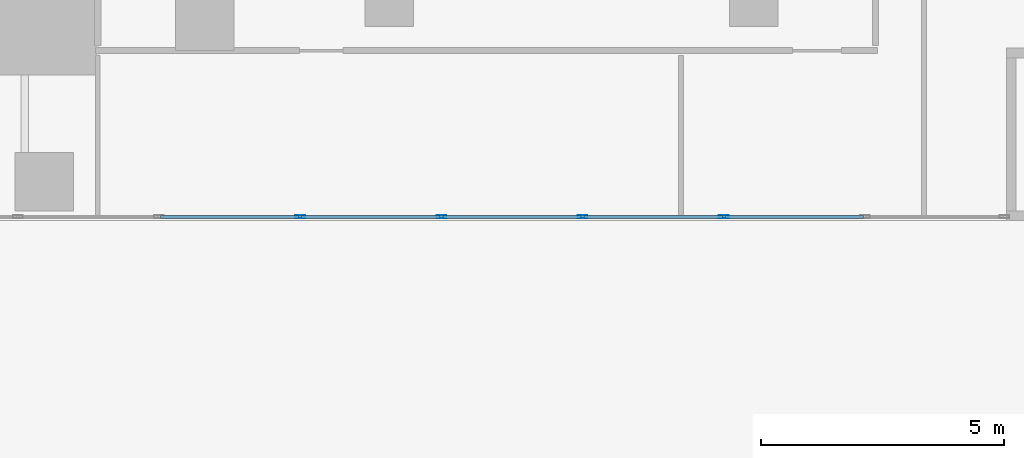
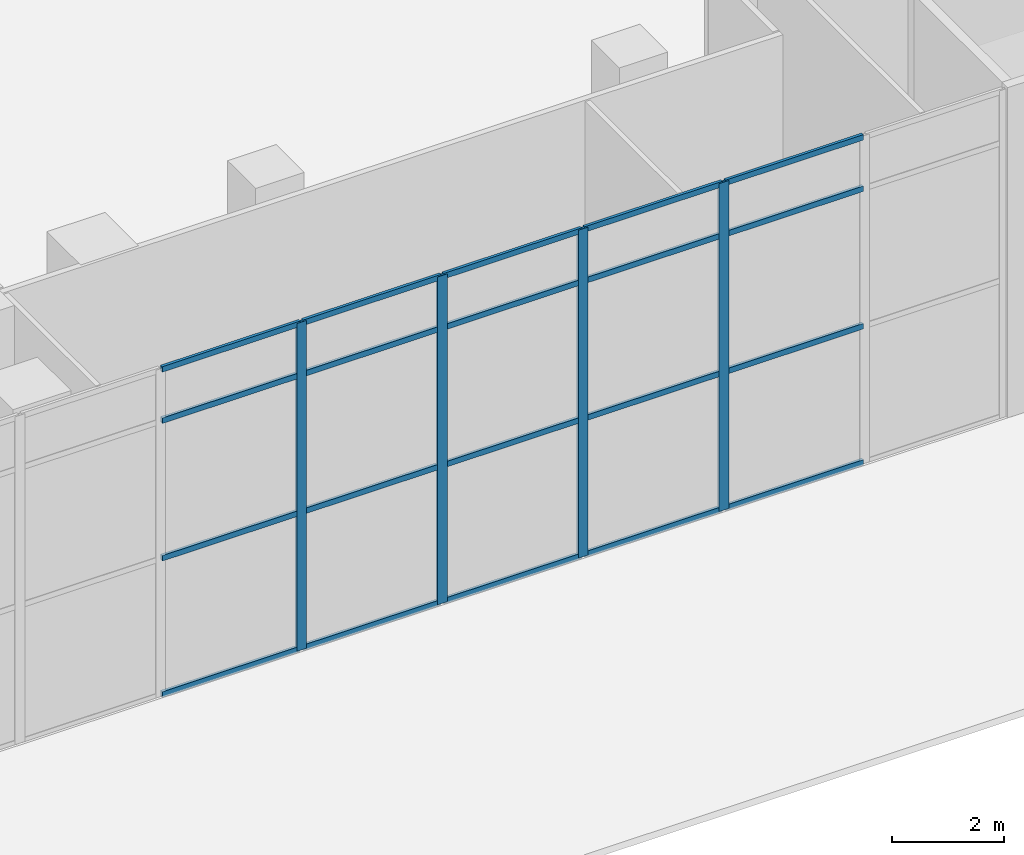
# One storey, part 20 of 52: 24 members, 1 element without a shape of its own.
"""IFC4 building model written with IfcOpenShell, lengths in metres."""

from ifc_helpers import new_model, si_unit, direction, frame, origin, origin_2d, place, context, subcontext, project, spatial, hollow_rectangle, extrude, source, transform, mapped, material, material_profile, profile_set, type_object, element, aggregate, save


model = new_model("IFC4")

# Units and contexts
model_context = context("Model", 3, precision=1e-05, world=origin(), true_north=direction((0.0, 1.0)))
body_context = subcontext(model_context, "Body", "Model", "MODEL_VIEW")
ifc_project = project(units=[si_unit("LENGTHUNIT", "METRE"), si_unit("AREAUNIT", "SQUARE_METRE"), si_unit("VOLUMEUNIT", "CUBIC_METRE"), si_unit("PLANEANGLEUNIT", "RADIAN"), si_unit("MASSUNIT", "GRAM", prefix="KILO")], contexts=[model_context])

# Site, building, storey
site_placement = place(None, origin())
site = spatial("IfcSite", under=ifc_project, at=site_placement, CompositionType="ELEMENT")
building_placement = place(site_placement, origin())
building = spatial("IfcBuilding", under=site, at=building_placement, Name="Khomas Fold Tower", CompositionType="ELEMENT")
storey_placement = place(building_placement, origin())
storey = spatial("IfcBuildingStorey", under=building, at=storey_placement, Name="L00", CompositionType="ELEMENT", Elevation=0.0)

# Curtain wall, members
ifc_material_1 = material(Name="Aluminium framed double glazing", Category="aluminium")
curtain_wall_type = type_object("IfcCurtainWallType", Name="Shopfront glazing PD-CW", PredefinedType="NOTDEFINED", material=ifc_material_1)
curtain_wall_placement = place(storey_placement, origin())
curtain_wall = element("IfcCurtainWall", 1, at=curtain_wall_placement, inside=storey, type_object=curtain_wall_type, Name="Podium shopfront run", PredefinedType="NOTDEFINED")
ifc_material_2 = material(Name="Aluminium", Category="aluminium")
ifc_material_profile_1 = material_profile(ifc_material_2, hollow_rectangle(XDim=0.06005859375, YDim=0.199951171875, WallThickness=0.00390625, at=origin_2d()), Name="Shopfront glazing mullion PD-CW-M")
ifc_profile_set_1 = profile_set([ifc_material_profile_1], Name="Aluminium")
member_type_1 = type_object("IfcMemberType", Name="Shopfront glazing mullion PD-CW-M", PredefinedType="MULLION", material=ifc_profile_set_1)
shared_shape_1 = source(origin(), body_context, "Body", "SweptSolid", [
    extrude(hollow_rectangle(XDim=0.06005859375, YDim=0.199951171875, WallThickness=0.00390625, at=origin_2d()), origin(), (0.0, 0.0, 1.0), 7.14990234375),
])
member_1_placement = place(storey_placement, frame((55.167724609375, 0.080078125, 0.0), z_axis=(0.0, 0.0, 1.0), x_axis=(0.0, 1.0, 0.0)))
member_1 = element("IfcMember", 2, at=member_1_placement, type_object=member_type_1, Name="PD-CW mullion 5", PredefinedType="MULLION", context=body_context, shape_type="MappedRepresentation", body=[
    mapped(shared_shape_1, transform((0.0, 0.0, 0.0))),
])
member_2_placement = place(storey_placement, frame((58.072265625, 0.080078125, 0.0), z_axis=(0.0, 0.0, 1.0), x_axis=(0.0, 1.0, 0.0)))
member_2 = element("IfcMember", 3, at=member_2_placement, type_object=member_type_1, Name="PD-CW mullion 6", PredefinedType="MULLION", context=body_context, shape_type="MappedRepresentation", body=[
    mapped(shared_shape_1, transform((0.0, 0.0, 0.0))),
])
member_3_placement = place(storey_placement, frame((60.9765625, 0.080078125, 0.0), z_axis=(0.0, 0.0, 1.0), x_axis=(0.0, 1.0, 0.0)))
member_3 = element("IfcMember", 4, at=member_3_placement, type_object=member_type_1, Name="PD-CW mullion 7", PredefinedType="MULLION", context=body_context, shape_type="MappedRepresentation", body=[
    mapped(shared_shape_1, transform((0.0, 0.0, 0.0))),
])
member_4_placement = place(storey_placement, frame((63.881103515625, 0.080078125, 0.0), z_axis=(0.0, 0.0, 1.0), x_axis=(0.0, 1.0, 0.0)))
member_4 = element("IfcMember", 5, at=member_4_placement, type_object=member_type_1, Name="PD-CW mullion 8", PredefinedType="MULLION", context=body_context, shape_type="MappedRepresentation", body=[
    mapped(shared_shape_1, transform((0.0, 0.0, 0.0))),
])
ifc_material_3 = material(Name="Aluminium", Category="aluminium")
ifc_material_profile_2 = material_profile(ifc_material_3, hollow_rectangle(XDim=0.06005859375, YDim=0.1201171875, WallThickness=0.00390625, at=origin_2d()), Name="Shopfront glazing transom PD-CW-T")
ifc_profile_set_2 = profile_set([ifc_material_profile_2], Name="Aluminium")
member_type_2 = type_object("IfcMemberType", Name="Shopfront glazing transom PD-CW-T", PredefinedType="USERDEFINED", material=ifc_profile_set_2)
shared_shape_2 = source(origin(), body_context, "Body", "SweptSolid", [
    extrude(hollow_rectangle(XDim=0.06005859375, YDim=0.1201171875, WallThickness=0.00390625, at=origin_2d()), origin(), (0.0, 0.0, 1.0), 2.844482421875),
])
member_5_placement = place(storey_placement, frame((52.293212890625, 0.080078125, 0.030029296875), z_axis=(1.0, 0.0, 0.0), x_axis=(0.0, 1.0, 0.0)))
member_5 = element("IfcMember", 6, at=member_5_placement, type_object=member_type_2, Name="PD-CW transom 4.1", ObjectType="TRANSOM", PredefinedType="USERDEFINED", context=body_context, shape_type="MappedRepresentation", body=[
    mapped(shared_shape_2, transform((0.0, 0.0, 0.0))),
])
member_6_placement = place(storey_placement, frame((52.293212890625, 0.080078125, 3.0), z_axis=(1.0, 0.0, 0.0), x_axis=(0.0, 1.0, 0.0)))
member_6 = element("IfcMember", 7, at=member_6_placement, type_object=member_type_2, Name="PD-CW transom 4.2", ObjectType="TRANSOM", PredefinedType="USERDEFINED", context=body_context, shape_type="MappedRepresentation", body=[
    mapped(shared_shape_2, transform((0.0, 0.0, 0.0))),
])
member_7_placement = place(storey_placement, frame((52.293212890625, 0.080078125, 6.0), z_axis=(1.0, 0.0, 0.0), x_axis=(0.0, 1.0, 0.0)))
member_7 = element("IfcMember", 8, at=member_7_placement, type_object=member_type_2, Name="PD-CW transom 4.3", ObjectType="TRANSOM", PredefinedType="USERDEFINED", context=body_context, shape_type="MappedRepresentation", body=[
    mapped(shared_shape_2, transform((0.0, 0.0, 0.0))),
])
member_8_placement = place(storey_placement, frame((52.293212890625, 0.080078125, 7.1201171875), z_axis=(1.0, 0.0, 0.0), x_axis=(0.0, 1.0, 0.0)))
member_8 = element("IfcMember", 9, at=member_8_placement, type_object=member_type_2, Name="PD-CW transom 4.4", ObjectType="TRANSOM", PredefinedType="USERDEFINED", context=body_context, shape_type="MappedRepresentation", body=[
    mapped(shared_shape_2, transform((0.0, 0.0, 0.0))),
])
member_9_placement = place(storey_placement, frame((55.19775390625, 0.080078125, 0.030029296875), z_axis=(1.0, 0.0, 0.0), x_axis=(0.0, 1.0, 0.0)))
member_9 = element("IfcMember", 10, at=member_9_placement, type_object=member_type_2, Name="PD-CW transom 5.1", ObjectType="TRANSOM", PredefinedType="USERDEFINED", context=body_context, shape_type="MappedRepresentation", body=[
    mapped(shared_shape_2, transform((0.0, 0.0, 0.0))),
])
member_10_placement = place(storey_placement, frame((55.19775390625, 0.080078125, 3.0), z_axis=(1.0, 0.0, 0.0), x_axis=(0.0, 1.0, 0.0)))
member_10 = element("IfcMember", 11, at=member_10_placement, type_object=member_type_2, Name="PD-CW transom 5.2", ObjectType="TRANSOM", PredefinedType="USERDEFINED", context=body_context, shape_type="MappedRepresentation", body=[
    mapped(shared_shape_2, transform((0.0, 0.0, 0.0))),
])
member_11_placement = place(storey_placement, frame((55.19775390625, 0.080078125, 6.0), z_axis=(1.0, 0.0, 0.0), x_axis=(0.0, 1.0, 0.0)))
member_11 = element("IfcMember", 12, at=member_11_placement, type_object=member_type_2, Name="PD-CW transom 5.3", ObjectType="TRANSOM", PredefinedType="USERDEFINED", context=body_context, shape_type="MappedRepresentation", body=[
    mapped(shared_shape_2, transform((0.0, 0.0, 0.0))),
])
member_12_placement = place(storey_placement, frame((55.19775390625, 0.080078125, 7.1201171875), z_axis=(1.0, 0.0, 0.0), x_axis=(0.0, 1.0, 0.0)))
member_12 = element("IfcMember", 13, at=member_12_placement, type_object=member_type_2, Name="PD-CW transom 5.4", ObjectType="TRANSOM", PredefinedType="USERDEFINED", context=body_context, shape_type="MappedRepresentation", body=[
    mapped(shared_shape_2, transform((0.0, 0.0, 0.0))),
])
member_13_placement = place(storey_placement, frame((58.102294921875, 0.080078125, 0.030029296875), z_axis=(1.0, 0.0, 0.0), x_axis=(0.0, 1.0, 0.0)))
member_13 = element("IfcMember", 14, at=member_13_placement, type_object=member_type_2, Name="PD-CW transom 6.1", ObjectType="TRANSOM", PredefinedType="USERDEFINED", context=body_context, shape_type="MappedRepresentation", body=[
    mapped(shared_shape_2, transform((0.0, 0.0, 0.0))),
])
member_14_placement = place(storey_placement, frame((58.102294921875, 0.080078125, 3.0), z_axis=(1.0, 0.0, 0.0), x_axis=(0.0, 1.0, 0.0)))
member_14 = element("IfcMember", 15, at=member_14_placement, type_object=member_type_2, Name="PD-CW transom 6.2", ObjectType="TRANSOM", PredefinedType="USERDEFINED", context=body_context, shape_type="MappedRepresentation", body=[
    mapped(shared_shape_2, transform((0.0, 0.0, 0.0))),
])
member_15_placement = place(storey_placement, frame((58.102294921875, 0.080078125, 6.0), z_axis=(1.0, 0.0, 0.0), x_axis=(0.0, 1.0, 0.0)))
member_15 = element("IfcMember", 16, at=member_15_placement, type_object=member_type_2, Name="PD-CW transom 6.3", ObjectType="TRANSOM", PredefinedType="USERDEFINED", context=body_context, shape_type="MappedRepresentation", body=[
    mapped(shared_shape_2, transform((0.0, 0.0, 0.0))),
])
member_16_placement = place(storey_placement, frame((58.102294921875, 0.080078125, 7.1201171875), z_axis=(1.0, 0.0, 0.0), x_axis=(0.0, 1.0, 0.0)))
member_16 = element("IfcMember", 17, at=member_16_placement, type_object=member_type_2, Name="PD-CW transom 6.4", ObjectType="TRANSOM", PredefinedType="USERDEFINED", context=body_context, shape_type="MappedRepresentation", body=[
    mapped(shared_shape_2, transform((0.0, 0.0, 0.0))),
])
member_17_placement = place(storey_placement, frame((61.006591796875, 0.080078125, 0.030029296875), z_axis=(1.0, 0.0, 0.0), x_axis=(0.0, 1.0, 0.0)))
member_17 = element("IfcMember", 18, at=member_17_placement, type_object=member_type_2, Name="PD-CW transom 7.1", ObjectType="TRANSOM", PredefinedType="USERDEFINED", context=body_context, shape_type="MappedRepresentation", body=[
    mapped(shared_shape_2, transform((0.0, 0.0, 0.0))),
])
member_18_placement = place(storey_placement, frame((61.006591796875, 0.080078125, 3.0), z_axis=(1.0, 0.0, 0.0), x_axis=(0.0, 1.0, 0.0)))
member_18 = element("IfcMember", 19, at=member_18_placement, type_object=member_type_2, Name="PD-CW transom 7.2", ObjectType="TRANSOM", PredefinedType="USERDEFINED", context=body_context, shape_type="MappedRepresentation", body=[
    mapped(shared_shape_2, transform((0.0, 0.0, 0.0))),
])
member_19_placement = place(storey_placement, frame((61.006591796875, 0.080078125, 6.0), z_axis=(1.0, 0.0, 0.0), x_axis=(0.0, 1.0, 0.0)))
member_19 = element("IfcMember", 20, at=member_19_placement, type_object=member_type_2, Name="PD-CW transom 7.3", ObjectType="TRANSOM", PredefinedType="USERDEFINED", context=body_context, shape_type="MappedRepresentation", body=[
    mapped(shared_shape_2, transform((0.0, 0.0, 0.0))),
])
member_20_placement = place(storey_placement, frame((61.006591796875, 0.080078125, 7.1201171875), z_axis=(1.0, 0.0, 0.0), x_axis=(0.0, 1.0, 0.0)))
member_20 = element("IfcMember", 21, at=member_20_placement, type_object=member_type_2, Name="PD-CW transom 7.4", ObjectType="TRANSOM", PredefinedType="USERDEFINED", context=body_context, shape_type="MappedRepresentation", body=[
    mapped(shared_shape_2, transform((0.0, 0.0, 0.0))),
])
member_21_placement = place(storey_placement, frame((63.9111328125, 0.080078125, 0.030029296875), z_axis=(1.0, 0.0, 0.0), x_axis=(0.0, 1.0, 0.0)))
member_21 = element("IfcMember", 22, at=member_21_placement, type_object=member_type_2, Name="PD-CW transom 8.1", ObjectType="TRANSOM", PredefinedType="USERDEFINED", context=body_context, shape_type="MappedRepresentation", body=[
    mapped(shared_shape_2, transform((0.0, 0.0, 0.0))),
])
member_22_placement = place(storey_placement, frame((63.9111328125, 0.080078125, 3.0), z_axis=(1.0, 0.0, 0.0), x_axis=(0.0, 1.0, 0.0)))
member_22 = element("IfcMember", 23, at=member_22_placement, type_object=member_type_2, Name="PD-CW transom 8.2", ObjectType="TRANSOM", PredefinedType="USERDEFINED", context=body_context, shape_type="MappedRepresentation", body=[
    mapped(shared_shape_2, transform((0.0, 0.0, 0.0))),
])
member_23_placement = place(storey_placement, frame((63.9111328125, 0.080078125, 6.0), z_axis=(1.0, 0.0, 0.0), x_axis=(0.0, 1.0, 0.0)))
member_23 = element("IfcMember", 24, at=member_23_placement, type_object=member_type_2, Name="PD-CW transom 8.3", ObjectType="TRANSOM", PredefinedType="USERDEFINED", context=body_context, shape_type="MappedRepresentation", body=[
    mapped(shared_shape_2, transform((0.0, 0.0, 0.0))),
])
member_24_placement = place(storey_placement, frame((63.9111328125, 0.080078125, 7.1201171875), z_axis=(1.0, 0.0, 0.0), x_axis=(0.0, 1.0, 0.0)))
member_24 = element("IfcMember", 25, at=member_24_placement, type_object=member_type_2, Name="PD-CW transom 8.4", ObjectType="TRANSOM", PredefinedType="USERDEFINED", context=body_context, shape_type="MappedRepresentation", body=[
    mapped(shared_shape_2, transform((0.0, 0.0, 0.0))),
])
aggregate(curtain_wall, [member_1, member_2, member_3, member_4, member_5, member_6, member_7, member_8, member_9, member_10, member_11, member_12, member_13, member_14, member_15, member_16, member_17, member_18, member_19, member_20, member_21, member_22, member_23, member_24])

save(model, "model.ifc")
